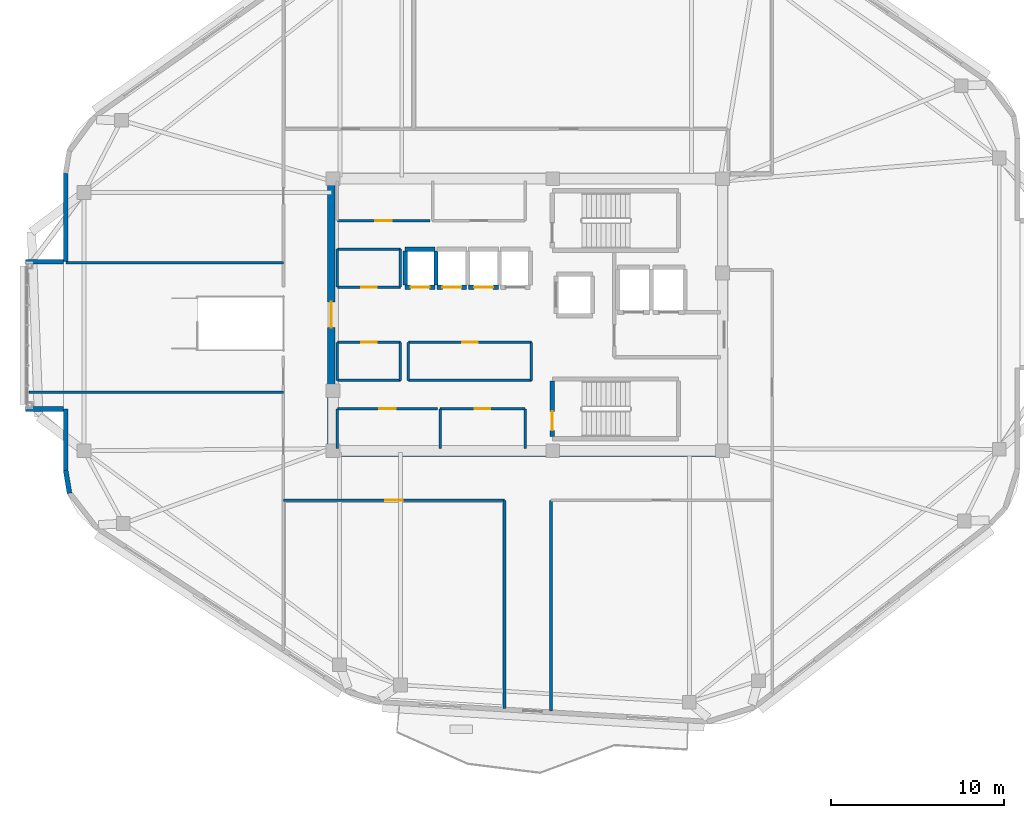
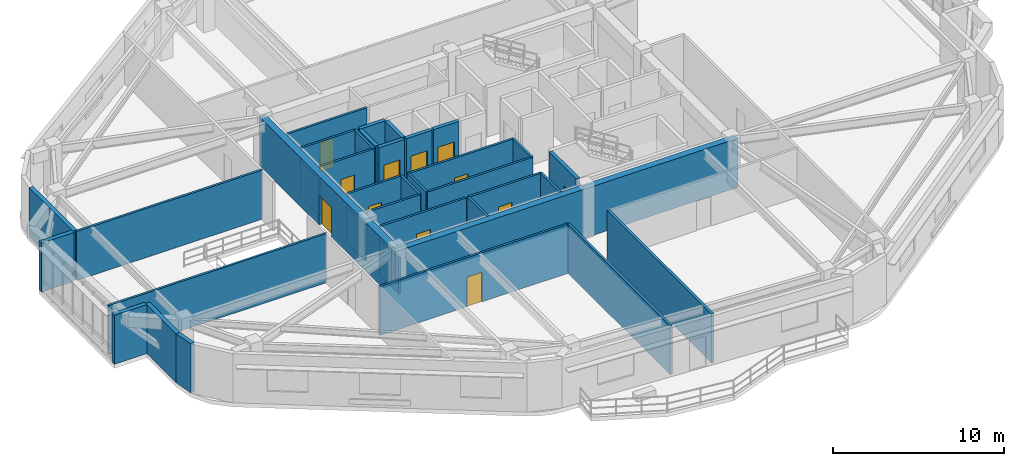
# One storey, part 11 of 16: 37 walls, 12 doors, 12 openings.
"""IFC4 building model written with IfcOpenShell, lengths in metres."""

from ifc_helpers import new_model, si_unit, direction, frame, frame_2d, origin, place, context, subcontext, project, spatial, rectangle, extrude, material, layer, layer_set, type_object, element, fill, save


model = new_model("IFC4")

# Units and contexts
model_context = context("Model", 3, precision=1e-05, world=origin(), true_north=direction((0.0, 1.0)))
body_context = subcontext(model_context, "Body", "Model", "MODEL_VIEW")
ifc_project = project(units=[si_unit("LENGTHUNIT", "METRE"), si_unit("AREAUNIT", "SQUARE_METRE"), si_unit("VOLUMEUNIT", "CUBIC_METRE"), si_unit("PLANEANGLEUNIT", "RADIAN"), si_unit("MASSUNIT", "GRAM", prefix="KILO")], contexts=[model_context])

# Site, building, storey
site_placement = place(None, origin())
site = spatial("IfcSite", under=ifc_project, at=site_placement, CompositionType="ELEMENT")
building_placement = place(site_placement, origin())
building = spatial("IfcBuilding", under=site, at=building_placement, Name="Zulverin Broadcast Headquarters", CompositionType="ELEMENT")
storey_placement = place(building_placement, frame((0.0, 0.0, 228.800048828125)))
storey = spatial("IfcBuildingStorey", under=building, at=storey_placement, Name="L58", CompositionType="ELEMENT", Elevation=228.800048828125)

# Wall
ifc_material_1 = material(Name="Concrete C50/60", Category="concrete")
ifc_layer_1 = layer(ifc_material_1, 0.449951171875, Name="Concrete C50/60", Category="concrete")
ifc_layer_set_1 = layer_set([ifc_layer_1], Name="Concrete C50/60")
wall_type_1 = type_object("IfcWallType", Name="WL-CORE-450", PredefinedType="SHEAR", material=ifc_layer_set_1)
wall_1_placement = place(storey_placement, frame((25.39990234375, 17.22509765625, 0.0), z_axis=(0.0, 0.0, 1.0), x_axis=(1.0, 0.0, 0.0)))
element("IfcWall", 1, at=wall_1_placement, inside=storey, type_object=wall_type_1, Name="L58 Core South Shear Wall", PredefinedType="SHEAR", context=body_context, shape_type="SweptSolid", body=[
    extrude(rectangle(XDim=23.2001953125, YDim=0.449951171875, at=frame_2d((11.60009765625, 0.0))), origin(), (0.0, 0.0, 1.0), 3.510009765625),
])

# Wall, opening, door
wall_2_placement = place(storey_placement, frame((25.625, 17.449951171875, 0.0), z_axis=(0.0, 0.0, 1.0), x_axis=(0.0, 1.0, 0.0)))
wall_2 = element("IfcWall", 2, at=wall_2_placement, inside=storey, type_object=wall_type_1, Name="L58 Core West Shear Wall", PredefinedType="SHEAR", context=body_context, shape_type="SweptSolid", body=[
    extrude(rectangle(XDim=15.5, YDim=0.449951171875, at=frame_2d((7.75, 0.0))), origin(), (0.0, 0.0, 1.0), 3.510009765625),
])
opening_1_placement = place(wall_2_placement, frame((7.0, 0.0, 0.0)))
opening_1 = element("IfcOpeningElement", 3, at=opening_1_placement, cuts=wall_2, Name="Opening D-L58-CW1", PredefinedType="OPENING", context=body_context, shape_type="SweptSolid", body=[
    extrude(rectangle(XDim=1.5, YDim=2.14990234375, at=frame_2d((0.75, 1.074951171875))), frame((0.0, 0.23486328125, 0.0), z_axis=(0.0, -1.0, 0.0), x_axis=(1.0, 0.0, 0.0)), (0.0, 0.0, 1.0), 0.469970703125),
])
ifc_material_2 = material(Name="Fire-rated glazed steel frame", Category="steel")
door_type_1 = type_object("IfcDoorType", Name="DR-COR-1500", OperationType="DOUBLE_DOOR_SINGLE_SWING", PredefinedType="DOOR", material=ifc_material_2)
door_1_placement = place(opening_1_placement, origin())
door_1 = element("IfcDoor", 4, at=door_1_placement, inside=storey, type_object=door_type_1, Name="L58 Central Lift Lobby West Portal Door", OperationType="DOUBLE_DOOR_SINGLE_SWING", OverallHeight=2.14990234375, OverallWidth=1.5, PredefinedType="DOOR", context=body_context, shape_type="SweptSolid", body=[
    extrude(rectangle(XDim=1.5, YDim=2.14990234375, at=frame_2d((0.75, 1.074951171875))), frame((0.0, 0.02490234375, 0.0), z_axis=(0.0, -1.0, 0.0), x_axis=(1.0, 0.0, 0.0)), (0.0, 0.0, 1.0), 0.050048828125),
])
fill(opening_1, door_1)

# Walls
ifc_material_3 = material(Name="Insulated pale-metal clad concrete spandrel C40/50", Category="concrete")
ifc_layer_2 = layer(ifc_material_3, 0.280029296875, Name="Insulated pale-metal clad concrete spandrel C40/50", Category="concrete")
ifc_layer_set_2 = layer_set([ifc_layer_2], Name="Insulated pale-metal clad concrete spandrel C40/50")
wall_type_2 = type_object("IfcWallType", Name="WL-EXT-280", PredefinedType="STANDARD", material=ifc_layer_set_2)
wall_3_placement = place(storey_placement, frame((10.239990234375, 33.42529296875, 0.0), z_axis=(0.0, 0.0, 1.0), x_axis=(0.0, -1.0, 0.0)))
element("IfcWall", 5, at=wall_3_placement, inside=storey, type_object=wall_type_2, Name="L58 Pale-Metal Clad Flanking Spandrel Wall 7-1", PredefinedType="STANDARD", context=body_context, shape_type="SweptSolid", body=[
    extrude(rectangle(XDim=5.1552734375, YDim=0.280029296875, at=frame_2d((2.57763671875, 0.0))), origin(), (0.0, 0.0, 1.0), 3.510009765625),
])
wall_4_placement = place(storey_placement, frame((10.239990234375, 19.75, 0.0), z_axis=(0.0, 0.0, 1.0), x_axis=(0.0, -1.0, 0.0)))
element("IfcWall", 6, at=wall_4_placement, inside=storey, type_object=wall_type_2, Name="L58 Pale-Metal Clad Flanking Spandrel Wall 7-2", PredefinedType="STANDARD", context=body_context, shape_type="SweptSolid", body=[
    extrude(rectangle(XDim=3.581298828125, YDim=0.280029296875, at=frame_2d((1.79052734375, 0.0))), origin(), (0.0, 0.0, 1.0), 3.510009765625),
])
wall_5_placement = place(storey_placement, frame((10.238037109375, 16.191650390625, 0.0), z_axis=(0.0, 0.0, 1.0), x_axis=(0.164604311367, -0.986359681191, 0.0)))
element("IfcWall", 7, at=wall_5_placement, inside=storey, type_object=wall_type_2, Name="L58 Wind-Shaped Corner Spandrel Wall 7-1", PredefinedType="STANDARD", context=body_context, shape_type="SweptSolid", body=[
    extrude(rectangle(XDim=1.349609375, YDim=0.280029296875, at=frame_2d((0.6748046875, 0.0))), origin(), (0.0, 0.0, 1.0), 3.510009765625),
])
for number, where, z_axis, x_axis, name in (
    (8, (7.89990234375, 19.75, 0.0), (0.0, 0.0, 1.0), (1.0, 0.0, 0.0), "L58 Shifted Studio Box Cheek Wall SBOX_SKY2_W-S"),
    (9, (7.89990234375, 28.27001953125, 0.0), (0.0, 0.0, 1.0), (1.0, 0.0, 0.0), "L58 Shifted Studio Box Cheek Wall SBOX_SKY2_W-N"),
):
    element("IfcWall", number, at=place(storey_placement, frame(where, z_axis=z_axis, x_axis=x_axis)), inside=storey, type_object=wall_type_2, Name=name, PredefinedType="STANDARD", context=body_context, shape_type="SweptSolid", body=[
        extrude(rectangle(XDim=2.2001953125, YDim=0.280029296875, at=frame_2d((1.10009765625, 0.0))), origin(), (0.0, 0.0, 1.0), 3.510009765625),
    ])

# Wall, opening, door
ifc_material_4 = material(Name="Fire-rated gypsum stud partition", Category="gypsum")
ifc_layer_3 = layer(ifc_material_4, 0.14990234375, Name="Fire-rated gypsum stud partition", Category="gypsum")
ifc_layer_set_3 = layer_set([ifc_layer_3], Name="Fire-rated gypsum stud partition")
wall_type_3 = type_object("IfcWallType", Name="WL-PART-150", PredefinedType="PARTITIONING", material=ifc_layer_set_3)
wall_6_placement = place(storey_placement, frame((25.969970703125, 30.64990234375, 0.0), z_axis=(0.0, 0.0, 1.0), x_axis=(1.0, 0.0, 0.0)))
wall_6 = element("IfcWall", 10, at=wall_6_placement, inside=storey, type_object=wall_type_3, Name="L58 Core Male WC Front Wall", PredefinedType="PARTITIONING", context=body_context, shape_type="SweptSolid", body=[
    extrude(rectangle(XDim=5.360107421875, YDim=0.14990234375, at=frame_2d((2.68017578125, 0.0))), origin(), (0.0, 0.0, 1.0), 3.510009765625),
])
opening_2_placement = place(wall_6_placement, frame((2.205078125, 0.0, 0.0)))
opening_2 = element("IfcOpeningElement", 11, at=opening_2_placement, cuts=wall_6, Name="Opening D-L58-NC1", PredefinedType="OPENING", context=body_context, shape_type="SweptSolid", body=[
    extrude(rectangle(XDim=0.949951171875, YDim=2.10009765625, at=frame_2d((0.47509765625, 1.050048828125))), frame((0.0, 0.0849609375, 0.0), z_axis=(0.0, -1.0, 0.0), x_axis=(1.0, 0.0, 0.0)), (0.0, 0.0, 1.0), 0.169921875),
])
ifc_material_5 = material(Name="Fire-rated moisture-resistant laminate leaf", Category="wood")
door_type_2 = type_object("IfcDoorType", Name="DR-WC-950", OperationType="SINGLE_SWING_LEFT", PredefinedType="DOOR", material=ifc_material_5)
door_2_placement = place(opening_2_placement, origin())
door_2 = element("IfcDoor", 12, at=door_2_placement, inside=storey, type_object=door_type_2, Name="L58 Male WC Door", OperationType="SINGLE_SWING_LEFT", OverallHeight=2.10009765625, OverallWidth=0.949951171875, PredefinedType="DOOR", context=body_context, shape_type="SweptSolid", body=[
    extrude(rectangle(XDim=0.949951171875, YDim=2.10009765625, at=frame_2d((0.47509765625, 1.050048828125))), frame((0.0, 0.02490234375, 0.0), z_axis=(0.0, -1.0, 0.0), x_axis=(1.0, 0.0, 0.0)), (0.0, 0.0, 1.0), 0.050048828125),
])
fill(opening_2, door_2)

wall_7_placement = place(storey_placement, frame((25.969970703125, 19.75, 0.0), z_axis=(0.0, 0.0, 1.0), x_axis=(1.0, 0.0, 0.0)))
wall_7 = element("IfcWall", 13, at=wall_7_placement, inside=storey, type_object=wall_type_3, Name="L58 Core Female WC Front Wall", PredefinedType="PARTITIONING", context=body_context, shape_type="SweptSolid", body=[
    extrude(rectangle(XDim=5.7900390625, YDim=0.14990234375, at=frame_2d((2.89501953125, 0.0))), origin(), (0.0, 0.0, 1.0), 3.510009765625),
])
opening_3_placement = place(wall_7_placement, frame((2.419921875, 0.0, 0.0)))
opening_3 = element("IfcOpeningElement", 14, at=opening_3_placement, cuts=wall_7, Name="Opening D-L58-SC1", PredefinedType="OPENING", context=body_context, shape_type="SweptSolid", body=[
    extrude(rectangle(XDim=0.949951171875, YDim=2.10009765625, at=frame_2d((0.47509765625, 1.050048828125))), frame((0.0, 0.0849609375, 0.0), z_axis=(0.0, -1.0, 0.0), x_axis=(1.0, 0.0, 0.0)), (0.0, 0.0, 1.0), 0.169921875),
])
door_3_placement = place(opening_3_placement, origin())
door_3 = element("IfcDoor", 15, at=door_3_placement, inside=storey, type_object=door_type_2, Name="L58 Female WC Door", OperationType="SINGLE_SWING_LEFT", OverallHeight=2.10009765625, OverallWidth=0.949951171875, PredefinedType="DOOR", context=body_context, shape_type="SweptSolid", body=[
    extrude(rectangle(XDim=0.949951171875, YDim=2.10009765625, at=frame_2d((0.47509765625, 1.050048828125))), frame((0.0, 0.02490234375, 0.0), z_axis=(0.0, -1.0, 0.0), x_axis=(1.0, 0.0, 0.0)), (0.0, 0.0, 1.0), 0.050048828125),
])
fill(opening_3, door_3)

# Wall
wall_8_placement = place(storey_placement, frame((25.969970703125, 17.449951171875, 0.0), z_axis=(0.0, 0.0, 1.0), x_axis=(0.0, 1.0, 0.0)))
element("IfcWall", 16, at=wall_8_placement, inside=storey, type_object=wall_type_3, Name="L58 Core Female WC West Wall", PredefinedType="PARTITIONING", context=body_context, shape_type="SweptSolid", body=[
    extrude(rectangle(XDim=2.300048828125, YDim=0.14990234375, at=frame_2d((1.14990234375, 0.0))), origin(), (0.0, 0.0, 1.0), 2.60986328125),
])

# Wall, opening, door
wall_9_placement = place(storey_placement, frame((31.919921875, 19.75, 0.0), z_axis=(0.0, 0.0, 1.0), x_axis=(1.0, 0.0, 0.0)))
wall_9 = element("IfcWall", 17, at=wall_9_placement, inside=storey, type_object=wall_type_3, Name="L58 Core Cleaner Store & Telecoms Riser Front Wall", PredefinedType="PARTITIONING", context=body_context, shape_type="SweptSolid", body=[
    extrude(rectangle(XDim=4.93017578125, YDim=0.14990234375, at=frame_2d((2.465087890625, 0.0))), origin(), (0.0, 0.0, 1.0), 3.510009765625),
])
opening_4_placement = place(wall_9_placement, frame((2.014892578125, 0.0, 0.0)))
opening_4 = element("IfcOpeningElement", 18, at=opening_4_placement, cuts=wall_9, Name="Opening D-L58-SC2", PredefinedType="OPENING", context=body_context, shape_type="SweptSolid", body=[
    extrude(rectangle(XDim=0.89990234375, YDim=2.10009765625, at=frame_2d((0.449951171875, 1.050048828125))), frame((0.0, 0.0849609375, 0.0), z_axis=(0.0, -1.0, 0.0), x_axis=(1.0, 0.0, 0.0)), (0.0, 0.0, 1.0), 0.169921875),
])
ifc_material_6 = material(Name="Powder-coated steel access leaf", Category="steel")
door_type_3 = type_object("IfcDoorType", Name="DR-RISER-900", OperationType="SINGLE_SWING_LEFT", PredefinedType="DOOR", material=ifc_material_6)
door_4_placement = place(opening_4_placement, origin())
door_4 = element("IfcDoor", 19, at=door_4_placement, inside=storey, type_object=door_type_3, Name="L58 Cleaner Store & Telecoms Riser Door", OperationType="SINGLE_SWING_RIGHT", OverallHeight=2.10009765625, OverallWidth=0.89990234375, PredefinedType="DOOR", context=body_context, shape_type="SweptSolid", body=[
    extrude(rectangle(XDim=0.89990234375, YDim=2.10009765625, at=frame_2d((0.449951171875, 1.050048828125))), frame((0.0, 0.02490234375, 0.0), z_axis=(0.0, -1.0, 0.0), x_axis=(1.0, 0.0, 0.0)), (0.0, 0.0, 1.0), 0.050048828125),
])
fill(opening_4, door_4)

# Walls
for number, where, z_axis, x_axis, name in (
    (20, (31.919921875, 17.449951171875, 0.0), (0.0, 0.0, 1.0), (0.0, 1.0, 0.0), "L58 Core Cleaner Store & Telecoms Riser West Wall"),
    (21, (36.85009765625, 17.449951171875, 0.0), (0.0, 0.0, 1.0), (0.0, 1.0, 0.0), "L58 Core Cleaner Store & Telecoms Riser East Wall"),
):
    element("IfcWall", number, at=place(storey_placement, frame(where, z_axis=z_axis, x_axis=x_axis)), inside=storey, type_object=wall_type_3, Name=name, PredefinedType="PARTITIONING", context=body_context, shape_type="SweptSolid", body=[
        extrude(rectangle(XDim=2.300048828125, YDim=0.14990234375, at=frame_2d((1.14990234375, 0.0))), origin(), (0.0, 0.0, 1.0), 3.510009765625),
    ])

# Wall, opening, door
wall_10_placement = place(storey_placement, frame((25.969970703125, 26.800048828125, 0.0), z_axis=(0.0, 0.0, 1.0), x_axis=(1.0, 0.0, 0.0)))
wall_10 = element("IfcWall", 22, at=wall_10_placement, inside=storey, type_object=wall_type_3, Name="L58 Broadcast Signal Patch Room S Wall", PredefinedType="PARTITIONING", context=body_context, shape_type="SweptSolid", body=[
    extrude(rectangle(XDim=3.650146484375, YDim=0.14990234375, at=frame_2d((1.8251953125, 0.0))), origin(), (0.0, 0.0, 1.0), 3.510009765625),
])
opening_5_placement = place(wall_10_placement, frame((1.375, 0.0, 0.0)))
opening_5 = element("IfcOpeningElement", 23, at=opening_5_placement, cuts=wall_10, Name="Opening D-L58-RCLN", PredefinedType="OPENING", context=body_context, shape_type="SweptSolid", body=[
    extrude(rectangle(XDim=0.89990234375, YDim=2.10009765625, at=frame_2d((0.449951171875, 1.050048828125))), frame((0.0, 0.0849609375, 0.0), z_axis=(0.0, -1.0, 0.0), x_axis=(1.0, 0.0, 0.0)), (0.0, 0.0, 1.0), 0.169921875),
])
door_5_placement = place(opening_5_placement, origin())
door_5 = element("IfcDoor", 24, at=door_5_placement, inside=storey, type_object=door_type_3, Name="L58 Broadcast Signal Patch Room Door", OperationType="SINGLE_SWING_LEFT", OverallHeight=2.10009765625, OverallWidth=0.89990234375, PredefinedType="DOOR", context=body_context, shape_type="SweptSolid", body=[
    extrude(rectangle(XDim=0.89990234375, YDim=2.10009765625, at=frame_2d((0.449951171875, 1.050048828125))), frame((0.0, 0.02490234375, 0.0), z_axis=(0.0, -1.0, 0.0), x_axis=(1.0, 0.0, 0.0)), (0.0, 0.0, 1.0), 0.050048828125),
])
fill(opening_5, door_5)

# Walls
wall_11_placement = place(storey_placement, frame((25.969970703125, 29.0, 0.0), z_axis=(0.0, 0.0, 1.0), x_axis=(1.0, 0.0, 0.0)))
element("IfcWall", 25, at=wall_11_placement, inside=storey, type_object=wall_type_3, Name="L58 Broadcast Signal Patch Room N Wall", PredefinedType="PARTITIONING", context=body_context, shape_type="SweptSolid", body=[
    extrude(rectangle(XDim=3.650146484375, YDim=0.14990234375, at=frame_2d((1.8251953125, 0.0))), origin(), (0.0, 0.0, 1.0), 3.510009765625),
])
wall_12_placement = place(storey_placement, frame((25.969970703125, 26.800048828125, 0.0), z_axis=(0.0, 0.0, 1.0), x_axis=(0.0, 1.0, 0.0)))
element("IfcWall", 26, at=wall_12_placement, inside=storey, type_object=wall_type_3, Name="L58 Broadcast Signal Patch Room W Wall", PredefinedType="PARTITIONING", context=body_context, shape_type="SweptSolid", body=[
    extrude(rectangle(XDim=2.199951171875, YDim=0.14990234375, at=frame_2d((1.10009765625, 0.0))), origin(), (0.0, 0.0, 1.0), 2.60986328125),
])
wall_13_placement = place(storey_placement, frame((29.6201171875, 26.800048828125, 0.0), z_axis=(0.0, 0.0, 1.0), x_axis=(0.0, 1.0, 0.0)))
element("IfcWall", 27, at=wall_13_placement, inside=storey, type_object=wall_type_3, Name="L58 Broadcast Signal Patch Room E Wall", PredefinedType="PARTITIONING", context=body_context, shape_type="SweptSolid", body=[
    extrude(rectangle(XDim=2.199951171875, YDim=0.14990234375, at=frame_2d((1.10009765625, 0.0))), origin(), (0.0, 0.0, 1.0), 3.510009765625),
])
wall_14_placement = place(storey_placement, frame((25.969970703125, 21.39990234375, 0.0), z_axis=(0.0, 0.0, 1.0), x_axis=(1.0, 0.0, 0.0)))
element("IfcWall", 28, at=wall_14_placement, inside=storey, type_object=wall_type_3, Name="L58 Media Ingestion Server Room S Wall", PredefinedType="PARTITIONING", context=body_context, shape_type="SweptSolid", body=[
    extrude(rectangle(XDim=3.650146484375, YDim=0.14990234375, at=frame_2d((1.8251953125, 0.0))), origin(), (0.0, 0.0, 1.0), 3.510009765625),
])

# Wall, opening, door
wall_15_placement = place(storey_placement, frame((25.969970703125, 23.60009765625, 0.0), z_axis=(0.0, 0.0, 1.0), x_axis=(1.0, 0.0, 0.0)))
wall_15 = element("IfcWall", 29, at=wall_15_placement, inside=storey, type_object=wall_type_3, Name="L58 Media Ingestion Server Room N Wall", PredefinedType="PARTITIONING", context=body_context, shape_type="SweptSolid", body=[
    extrude(rectangle(XDim=3.650146484375, YDim=0.14990234375, at=frame_2d((1.8251953125, 0.0))), origin(), (0.0, 0.0, 1.0), 3.510009765625),
])
opening_6_placement = place(wall_15_placement, frame((1.375, 0.0, 0.0)))
opening_6 = element("IfcOpeningElement", 30, at=opening_6_placement, cuts=wall_15, Name="Opening D-L58-RCLS", PredefinedType="OPENING", context=body_context, shape_type="SweptSolid", body=[
    extrude(rectangle(XDim=0.89990234375, YDim=2.10009765625, at=frame_2d((0.449951171875, 1.050048828125))), frame((0.0, 0.0849609375, 0.0), z_axis=(0.0, -1.0, 0.0), x_axis=(1.0, 0.0, 0.0)), (0.0, 0.0, 1.0), 0.169921875),
])
door_6_placement = place(opening_6_placement, origin())
door_6 = element("IfcDoor", 31, at=door_6_placement, inside=storey, type_object=door_type_3, Name="L58 Media Ingestion Server Room Door", OperationType="SINGLE_SWING_RIGHT", OverallHeight=2.10009765625, OverallWidth=0.89990234375, PredefinedType="DOOR", context=body_context, shape_type="SweptSolid", body=[
    extrude(rectangle(XDim=0.89990234375, YDim=2.10009765625, at=frame_2d((0.449951171875, 1.050048828125))), frame((0.0, 0.02490234375, 0.0), z_axis=(0.0, -1.0, 0.0), x_axis=(1.0, 0.0, 0.0)), (0.0, 0.0, 1.0), 0.050048828125),
])
fill(opening_6, door_6)

# Walls
wall_16_placement = place(storey_placement, frame((25.969970703125, 21.39990234375, 0.0), z_axis=(0.0, 0.0, 1.0), x_axis=(0.0, 1.0, 0.0)))
element("IfcWall", 32, at=wall_16_placement, inside=storey, type_object=wall_type_3, Name="L58 Media Ingestion Server Room W Wall", PredefinedType="PARTITIONING", context=body_context, shape_type="SweptSolid", body=[
    extrude(rectangle(XDim=2.2001953125, YDim=0.14990234375, at=frame_2d((1.10009765625, 0.0))), origin(), (0.0, 0.0, 1.0), 2.60986328125),
])
wall_17_placement = place(storey_placement, frame((29.6201171875, 21.39990234375, 0.0), z_axis=(0.0, 0.0, 1.0), x_axis=(0.0, 1.0, 0.0)))
element("IfcWall", 33, at=wall_17_placement, inside=storey, type_object=wall_type_3, Name="L58 Media Ingestion Server Room E Wall", PredefinedType="PARTITIONING", context=body_context, shape_type="SweptSolid", body=[
    extrude(rectangle(XDim=2.2001953125, YDim=0.14990234375, at=frame_2d((1.10009765625, 0.0))), origin(), (0.0, 0.0, 1.0), 3.510009765625),
])
wall_18_placement = place(storey_placement, frame((30.080078125, 21.39990234375, 0.0), z_axis=(0.0, 0.0, 1.0), x_axis=(1.0, 0.0, 0.0)))
element("IfcWall", 34, at=wall_18_placement, inside=storey, type_object=wall_type_3, Name="L58 Optical Telemetry Hub Room S Wall", PredefinedType="PARTITIONING", context=body_context, shape_type="SweptSolid", body=[
    extrude(rectangle(XDim=7.119873046875, YDim=0.14990234375, at=frame_2d((3.56005859375, 0.0))), origin(), (0.0, 0.0, 1.0), 3.510009765625),
])

# Wall, opening, door
wall_19_placement = place(storey_placement, frame((30.080078125, 23.60009765625, 0.0), z_axis=(0.0, 0.0, 1.0), x_axis=(1.0, 0.0, 0.0)))
wall_19 = element("IfcWall", 35, at=wall_19_placement, inside=storey, type_object=wall_type_3, Name="L58 Optical Telemetry Hub Room N Wall", PredefinedType="PARTITIONING", context=body_context, shape_type="SweptSolid", body=[
    extrude(rectangle(XDim=7.119873046875, YDim=0.14990234375, at=frame_2d((3.56005859375, 0.0))), origin(), (0.0, 0.0, 1.0), 3.510009765625),
])
opening_7_placement = place(wall_19_placement, frame((3.110107421875, 0.0, 0.0)))
opening_7 = element("IfcOpeningElement", 36, at=opening_7_placement, cuts=wall_19, Name="Opening D-L58-RM1", PredefinedType="OPENING", context=body_context, shape_type="SweptSolid", body=[
    extrude(rectangle(XDim=0.89990234375, YDim=2.10009765625, at=frame_2d((0.449951171875, 1.050048828125))), frame((0.0, 0.0849609375, 0.0), z_axis=(0.0, -1.0, 0.0), x_axis=(1.0, 0.0, 0.0)), (0.0, 0.0, 1.0), 0.169921875),
])
door_7_placement = place(opening_7_placement, origin())
door_7 = element("IfcDoor", 37, at=door_7_placement, inside=storey, type_object=door_type_3, Name="L58 Optical Telemetry Hub Room Door", OperationType="SINGLE_SWING_LEFT", OverallHeight=2.10009765625, OverallWidth=0.89990234375, PredefinedType="DOOR", context=body_context, shape_type="SweptSolid", body=[
    extrude(rectangle(XDim=0.89990234375, YDim=2.10009765625, at=frame_2d((0.449951171875, 1.050048828125))), frame((0.0, 0.02490234375, 0.0), z_axis=(0.0, -1.0, 0.0), x_axis=(1.0, 0.0, 0.0)), (0.0, 0.0, 1.0), 0.050048828125),
])
fill(opening_7, door_7)

# Walls
for number, where, z_axis, x_axis, name in (
    (38, (30.080078125, 21.39990234375, 0.0), (0.0, 0.0, 1.0), (0.0, 1.0, 0.0), "L58 Optical Telemetry Hub Room W Wall"),
    (39, (37.199951171875, 21.39990234375, 0.0), (0.0, 0.0, 1.0), (0.0, 1.0, 0.0), "L58 Optical Telemetry Hub Room E Wall"),
):
    element("IfcWall", number, at=place(storey_placement, frame(where, z_axis=z_axis, x_axis=x_axis)), inside=storey, type_object=wall_type_3, Name=name, PredefinedType="PARTITIONING", context=body_context, shape_type="SweptSolid", body=[
        extrude(rectangle(XDim=2.2001953125, YDim=0.14990234375, at=frame_2d((1.10009765625, 0.0))), origin(), (0.0, 0.0, 1.0), 3.510009765625),
    ])
wall_20_placement = place(storey_placement, frame((35.64990234375, 2.40478515625, 0.0), z_axis=(0.0, 0.0, 1.0), x_axis=(0.0, 1.0, 0.0)))
element("IfcWall", 40, at=wall_20_placement, inside=storey, type_object=wall_type_3, Name="L58 Gallery Partition Wall CG-05", PredefinedType="PARTITIONING", context=body_context, shape_type="SweptSolid", body=[
    extrude(rectangle(XDim=12.045166015625, YDim=0.14990234375, at=frame_2d((6.0224609375, 0.0))), origin(), (0.0, 0.0, 1.0), 3.510009765625),
])

# Wall, opening, door
wall_21_placement = place(storey_placement, frame((22.85009765625, 14.449951171875, 0.0), z_axis=(0.0, 0.0, 1.0), x_axis=(1.0, 0.0, 0.0)))
wall_21 = element("IfcWall", 41, at=wall_21_placement, inside=storey, type_object=wall_type_3, Name="L58 Gallery Partition Wall CG-09", PredefinedType="PARTITIONING", context=body_context, shape_type="SweptSolid", body=[
    extrude(rectangle(XDim=12.7998046875, YDim=0.14990234375, at=frame_2d((6.39990234375, 0.0))), origin(), (0.0, 0.0, 1.0), 3.510009765625),
])
opening_8_placement = place(wall_21_placement, frame((5.89990234375, 0.0, 0.0)))
opening_8 = element("IfcOpeningElement", 42, at=opening_8_placement, cuts=wall_21, Name="Opening D-L58-03", PredefinedType="OPENING", context=body_context, shape_type="SweptSolid", body=[
    extrude(rectangle(XDim=1.0, YDim=2.1201171875, at=frame_2d((0.5, 1.06005859375))), frame((0.0, 0.0849609375, 0.0), z_axis=(0.0, -1.0, 0.0), x_axis=(1.0, 0.0, 0.0)), (0.0, 0.0, 1.0), 0.169921875),
])
ifc_material_7 = material(Name="Hardwood veneer acoustic leaf", Category="wood")
door_type_4 = type_object("IfcDoorType", Name="DR-OFF-1000", OperationType="SINGLE_SWING_LEFT", PredefinedType="DOOR", material=ifc_material_7)
door_8_placement = place(opening_8_placement, origin())
door_8 = element("IfcDoor", 43, at=door_8_placement, inside=storey, type_object=door_type_4, Name="L58 Open Strategy Workplace Door", OperationType="SINGLE_SWING_RIGHT", OverallHeight=2.1201171875, OverallWidth=1.0, PredefinedType="DOOR", context=body_context, shape_type="SweptSolid", body=[
    extrude(rectangle(XDim=1.0, YDim=2.1201171875, at=frame_2d((0.5, 1.06005859375))), frame((0.0, 0.02490234375, 0.0), z_axis=(0.0, -1.0, 0.0), x_axis=(1.0, 0.0, 0.0)), (0.0, 0.0, 1.0), 0.050048828125),
])
fill(opening_8, door_8)

# Walls
wall_22_placement = place(storey_placement, frame((8.10498046875, 20.699951171875, 0.0), z_axis=(0.0, 0.0, 1.0), x_axis=(1.0, 0.0, 0.0)))
element("IfcWall", 44, at=wall_22_placement, inside=storey, type_object=wall_type_3, Name="L58 Room Partition Wall RP-11", PredefinedType="PARTITIONING", context=body_context, shape_type="SweptSolid", body=[
    extrude(rectangle(XDim=14.7451171875, YDim=0.14990234375, at=frame_2d((7.37255859375, 0.0))), origin(), (0.0, 0.0, 1.0), 3.510009765625),
])
wall_23_placement = place(storey_placement, frame((10.260009765625, 28.199951171875, 0.0), z_axis=(0.0, 0.0, 1.0), x_axis=(1.0, 0.0, 0.0)))
element("IfcWall", 45, at=wall_23_placement, inside=storey, type_object=wall_type_3, Name="L58 Room Partition Wall RP-13", PredefinedType="PARTITIONING", context=body_context, shape_type="SweptSolid", body=[
    extrude(rectangle(XDim=12.590087890625, YDim=0.14990234375, at=frame_2d((6.294921875, 0.0))), origin(), (0.0, 0.0, 1.0), 3.510009765625),
])
ifc_material_8 = material(Name="Fire-rated acoustic stud wall", Category="gypsum")
ifc_layer_4 = layer(ifc_material_8, 0.175048828125, Name="Fire-rated acoustic stud wall", Category="gypsum")
ifc_layer_set_4 = layer_set([ifc_layer_4], Name="Fire-rated acoustic stud wall")
wall_type_4 = type_object("IfcWallType", Name="WL-PART-175", PredefinedType="PARTITIONING", material=ifc_layer_set_4)
wall_24_placement = place(storey_placement, frame((38.35009765625, 2.24267578125, 0.0), z_axis=(0.0, 0.0, 1.0), x_axis=(0.0, 1.0, 0.0)))
element("IfcWall", 46, at=wall_24_placement, inside=storey, type_object=wall_type_4, Name="L58 Gallery Partition Wall CG-04", PredefinedType="PARTITIONING", context=body_context, shape_type="SweptSolid", body=[
    extrude(rectangle(XDim=12.207275390625, YDim=0.175048828125, at=frame_2d((6.103515625, 0.0))), origin(), (0.0, 0.0, 1.0), 3.510009765625),
])

# Wall, opening, door
ifc_layer_5 = layer(ifc_material_1, 0.25, Name="Concrete C50/60", Category="concrete")
ifc_layer_set_5 = layer_set([ifc_layer_5], Name="Concrete C50/60")
wall_type_5 = type_object("IfcWallType", Name="WL-SHAFT-250", PredefinedType="SHEAR", material=ifc_layer_set_5)
wall_25_placement = place(storey_placement, frame((38.425048828125, 18.14990234375, 0.0), z_axis=(0.0, 0.0, 1.0), x_axis=(0.0, 1.0, 0.0)))
wall_25 = element("IfcWall", 47, at=wall_25_placement, inside=storey, type_object=wall_type_5, Name="L58 ST-2 Enclosure Wall W", PredefinedType="SHEAR", context=body_context, shape_type="SweptSolid", body=[
    extrude(rectangle(XDim=3.2001953125, YDim=0.25, at=frame_2d((1.60009765625, 0.0))), origin(), (0.0, 0.0, 1.0), 3.510009765625),
])
opening_9_placement = place(wall_25_placement, frame((0.35009765625, 0.0, 0.0)))
opening_9 = element("IfcOpeningElement", 48, at=opening_9_placement, cuts=wall_25, Name="Opening D-L58-ST-2", PredefinedType="OPENING", context=body_context, shape_type="SweptSolid", body=[
    extrude(rectangle(XDim=1.10009765625, YDim=2.14990234375, at=frame_2d((0.550048828125, 1.074951171875))), frame((0.0, 0.135009765625, 0.0), z_axis=(0.0, -1.0, 0.0), x_axis=(1.0, 0.0, 0.0)), (0.0, 0.0, 1.0), 0.27001953125),
])
ifc_material_9 = material(Name="Fire-rated steel leaf and frame", Category="steel")
door_type_5 = type_object("IfcDoorType", Name="DR-STAIR-1100", OperationType="SINGLE_SWING_LEFT", PredefinedType="DOOR", material=ifc_material_9)
door_9_placement = place(opening_9_placement, origin())
door_9 = element("IfcDoor", 49, at=door_9_placement, inside=storey, type_object=door_type_5, Name="L58 Exit Stair ST-2 Fire Door", OperationType="SINGLE_SWING_RIGHT", OverallHeight=2.14990234375, OverallWidth=1.10009765625, PredefinedType="DOOR", context=body_context, shape_type="SweptSolid", body=[
    extrude(rectangle(XDim=1.10009765625, YDim=2.14990234375, at=frame_2d((0.550048828125, 1.074951171875))), frame((0.0, 0.02490234375, 0.0), z_axis=(0.0, -1.0, 0.0), x_axis=(1.0, 0.0, 0.0)), (0.0, 0.0, 1.0), 0.050048828125),
])
fill(opening_9, door_9)

wall_26_placement = place(storey_placement, frame((29.89990234375, 26.800048828125, 0.0), z_axis=(0.0, 0.0, 1.0), x_axis=(1.0, 0.0, 0.0)))
wall_26 = element("IfcWall", 50, at=wall_26_placement, inside=storey, type_object=wall_type_5, Name="L58 Lift PL-H1 Shaft Wall S", PredefinedType="SHEAR", context=body_context, shape_type="SweptSolid", body=[
    extrude(rectangle(XDim=1.72021484375, YDim=0.25, at=frame_2d((0.860107421875, 0.0))), origin(), (0.0, 0.0, 1.0), 3.510009765625),
])
opening_10_placement = place(wall_26_placement, frame((0.31005859375, 0.0, 0.0)))
opening_10 = element("IfcOpeningElement", 51, at=opening_10_placement, cuts=wall_26, Name="Opening LD-PL-H1-L58", PredefinedType="OPENING", context=body_context, shape_type="SweptSolid", body=[
    extrude(rectangle(XDim=1.10009765625, YDim=2.14990234375, at=frame_2d((0.550048828125, 1.074951171875))), frame((0.0, 0.135009765625, 0.0), z_axis=(0.0, -1.0, 0.0), x_axis=(1.0, 0.0, 0.0)), (0.0, 0.0, 1.0), 0.27001953125),
])
ifc_material_10 = material(Name="Brushed stainless steel landing", Category="steel")
door_type_6 = type_object("IfcDoorType", Name="LD-PASS-1100", OperationType="DOUBLE_DOOR_SLIDING", PredefinedType="DOOR", material=ifc_material_10)
door_10_placement = place(opening_10_placement, origin())
door_10 = element("IfcDoor", 52, at=door_10_placement, inside=storey, type_object=door_type_6, Name="L58 Lift PL-H1 Sliding Landing Door", OperationType="DOUBLE_DOOR_SLIDING", OverallHeight=2.14990234375, OverallWidth=1.10009765625, PredefinedType="DOOR", context=body_context, shape_type="SweptSolid", body=[
    extrude(rectangle(XDim=1.10009765625, YDim=2.14990234375, at=frame_2d((0.550048828125, 1.074951171875))), frame((0.0, 0.02490234375, 0.0), z_axis=(0.0, -1.0, 0.0), x_axis=(1.0, 0.0, 0.0)), (0.0, 0.0, 1.0), 0.050048828125),
])
fill(opening_10, door_10)

# Walls
wall_27_placement = place(storey_placement, frame((29.89990234375, 29.0, 0.0), z_axis=(0.0, 0.0, 1.0), x_axis=(1.0, 0.0, 0.0)))
element("IfcWall", 53, at=wall_27_placement, inside=storey, type_object=wall_type_5, Name="L58 Lift PL-H1 Shaft Wall N", PredefinedType="SHEAR", context=body_context, shape_type="SweptSolid", body=[
    extrude(rectangle(XDim=1.72021484375, YDim=0.25, at=frame_2d((0.860107421875, 0.0))), origin(), (0.0, 0.0, 1.0), 3.510009765625),
])
for number, where, z_axis, x_axis, name in (
    (54, (29.89990234375, 26.919921875, 0.0), (0.0, 0.0, 1.0), (0.0, 1.0, 0.0), "L58 Lift PL-H1 Shaft Wall W"),
    (55, (31.679931640625, 26.919921875, 0.0), (0.0, 0.0, 1.0), (0.0, 1.0, 0.0), "L58 Lift PL-H1 Shaft Wall E"),
):
    element("IfcWall", number, at=place(storey_placement, frame(where, z_axis=z_axis, x_axis=x_axis)), inside=storey, type_object=wall_type_5, Name=name, PredefinedType="SHEAR", context=body_context, shape_type="SweptSolid", body=[
        extrude(rectangle(XDim=1.9599609375, YDim=0.25, at=frame_2d((0.97998046875, 0.0))), origin(), (0.0, 0.0, 1.0), 3.510009765625),
    ])

# Wall, opening, door
wall_28_placement = place(storey_placement, frame((31.739990234375, 26.800048828125, 0.0), z_axis=(0.0, 0.0, 1.0), x_axis=(1.0, 0.0, 0.0)))
wall_28 = element("IfcWall", 56, at=wall_28_placement, inside=storey, type_object=wall_type_5, Name="L58 Lift PL-H2 Shaft Wall S", PredefinedType="SHEAR", context=body_context, shape_type="SweptSolid", body=[
    extrude(rectangle(XDim=1.719970703125, YDim=0.25, at=frame_2d((0.85986328125, 0.0))), origin(), (0.0, 0.0, 1.0), 3.510009765625),
])
opening_11_placement = place(wall_28_placement, frame((0.31005859375, 0.0, 0.0)))
opening_11 = element("IfcOpeningElement", 57, at=opening_11_placement, cuts=wall_28, Name="Opening LD-PL-H2-L58", PredefinedType="OPENING", context=body_context, shape_type="SweptSolid", body=[
    extrude(rectangle(XDim=1.10009765625, YDim=2.14990234375, at=frame_2d((0.550048828125, 1.074951171875))), frame((0.0, 0.135009765625, 0.0), z_axis=(0.0, -1.0, 0.0), x_axis=(1.0, 0.0, 0.0)), (0.0, 0.0, 1.0), 0.27001953125),
])
door_11_placement = place(opening_11_placement, origin())
door_11 = element("IfcDoor", 58, at=door_11_placement, inside=storey, type_object=door_type_6, Name="L58 Lift PL-H2 Sliding Landing Door", OperationType="DOUBLE_DOOR_SLIDING", OverallHeight=2.14990234375, OverallWidth=1.10009765625, PredefinedType="DOOR", context=body_context, shape_type="SweptSolid", body=[
    extrude(rectangle(XDim=1.10009765625, YDim=2.14990234375, at=frame_2d((0.550048828125, 1.074951171875))), frame((0.0, 0.02490234375, 0.0), z_axis=(0.0, -1.0, 0.0), x_axis=(1.0, 0.0, 0.0)), (0.0, 0.0, 1.0), 0.050048828125),
])
fill(opening_11, door_11)

wall_29_placement = place(storey_placement, frame((33.580078125, 26.800048828125, 0.0), z_axis=(0.0, 0.0, 1.0), x_axis=(1.0, 0.0, 0.0)))
wall_29 = element("IfcWall", 59, at=wall_29_placement, inside=storey, type_object=wall_type_5, Name="L58 Lift PL-H3 Shaft Wall S", PredefinedType="SHEAR", context=body_context, shape_type="SweptSolid", body=[
    extrude(rectangle(XDim=1.719970703125, YDim=0.25, at=frame_2d((0.85986328125, 0.0))), origin(), (0.0, 0.0, 1.0), 3.510009765625),
])
opening_12_placement = place(wall_29_placement, frame((0.31005859375, 0.0, 0.0)))
opening_12 = element("IfcOpeningElement", 60, at=opening_12_placement, cuts=wall_29, Name="Opening LD-PL-H3-L58", PredefinedType="OPENING", context=body_context, shape_type="SweptSolid", body=[
    extrude(rectangle(XDim=1.10009765625, YDim=2.14990234375, at=frame_2d((0.550048828125, 1.074951171875))), frame((0.0, 0.135009765625, 0.0), z_axis=(0.0, -1.0, 0.0), x_axis=(1.0, 0.0, 0.0)), (0.0, 0.0, 1.0), 0.27001953125),
])
door_12_placement = place(opening_12_placement, origin())
door_12 = element("IfcDoor", 61, at=door_12_placement, inside=storey, type_object=door_type_6, Name="L58 Lift PL-H3 Sliding Landing Door", OperationType="DOUBLE_DOOR_SLIDING", OverallHeight=2.14990234375, OverallWidth=1.10009765625, PredefinedType="DOOR", context=body_context, shape_type="SweptSolid", body=[
    extrude(rectangle(XDim=1.10009765625, YDim=2.14990234375, at=frame_2d((0.550048828125, 1.074951171875))), frame((0.0, 0.02490234375, 0.0), z_axis=(0.0, -1.0, 0.0), x_axis=(1.0, 0.0, 0.0)), (0.0, 0.0, 1.0), 0.050048828125),
])
fill(opening_12, door_12)

save(model, "model.ifc")
